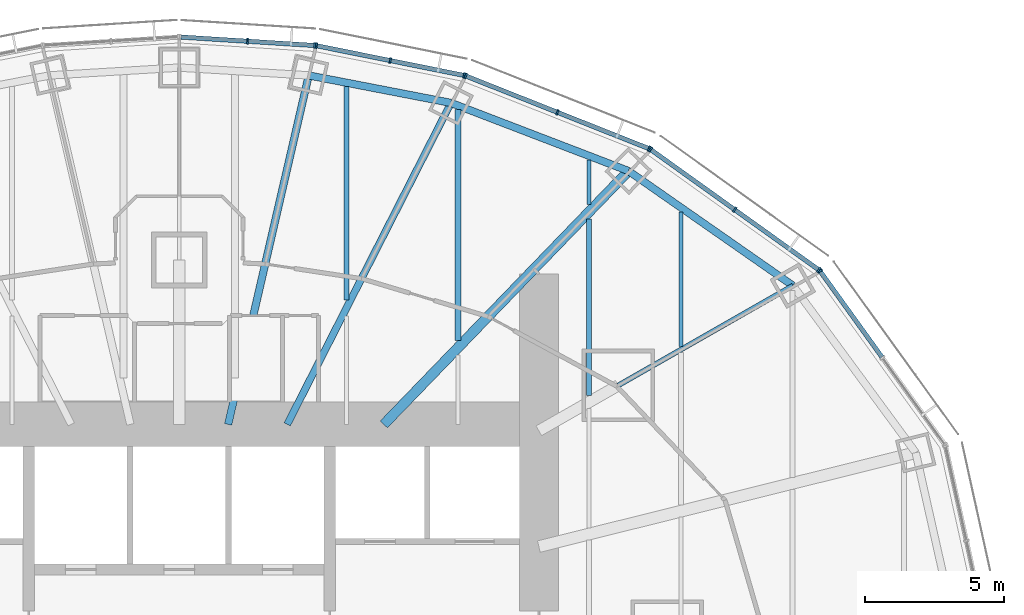
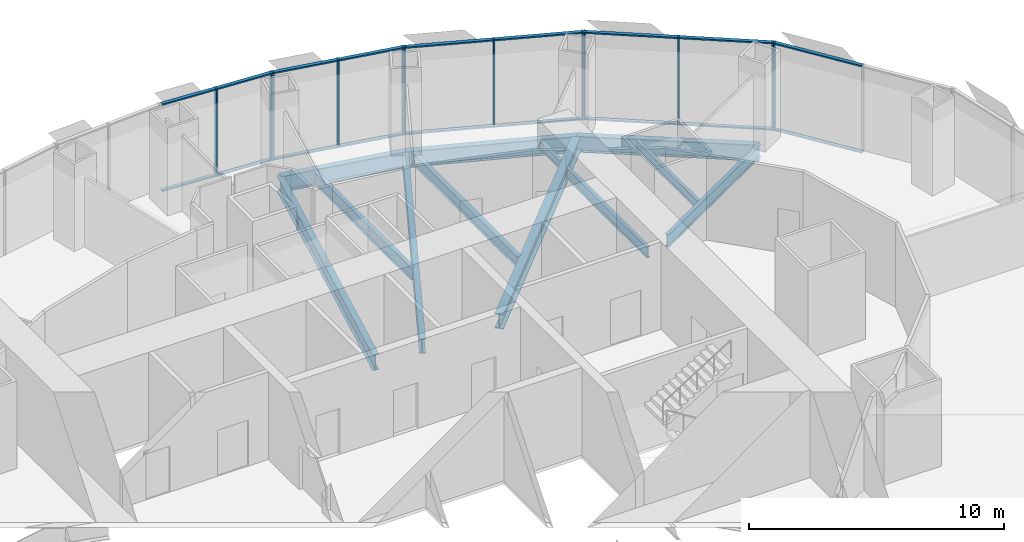
# One storey, part 8 of 18: 30 members, 12 beams, 5 elements without a shape of their own.
"""IFC4 building model written with IfcOpenShell, lengths in metres."""

from ifc_helpers import new_model, si_unit, direction, frame, origin, origin_2d, place, context, subcontext, project, spatial, rectangle, i_section, extrude, material, material_profile, profile_set, type_object, element, aggregate, save


model = new_model("IFC4")

# Units and contexts
model_context = context("Model", 3, precision=1e-05, world=origin(), true_north=direction((0.0, 1.0)))
body_context = subcontext(model_context, "Body", "Model", "MODEL_VIEW")
ifc_project = project(units=[si_unit("LENGTHUNIT", "METRE"), si_unit("AREAUNIT", "SQUARE_METRE"), si_unit("VOLUMEUNIT", "CUBIC_METRE"), si_unit("PLANEANGLEUNIT", "RADIAN"), si_unit("MASSUNIT", "GRAM", prefix="KILO")], contexts=[model_context])

# Site, building, storey
site_placement = place(None, origin())
site = spatial("IfcSite", under=ifc_project, at=site_placement, CompositionType="ELEMENT")
building_placement = place(site_placement, origin())
building = spatial("IfcBuilding", under=site, at=building_placement, Name="Lantaw Convention Tower", CompositionType="ELEMENT")
storey_placement = place(building_placement, frame((0.0, 0.0, 184.60009765625)))
storey = spatial("IfcBuildingStorey", under=building, at=storey_placement, Name="L43", CompositionType="ELEMENT", Elevation=184.60009765625)

# Beams
ifc_material_1 = material(Name="Steel ASTM A992", Category="steel")
ifc_material_profile_1 = material_profile(ifc_material_1, i_section(OverallWidth=0.2666015625, OverallDepth=0.76953125, WebThickness=0.015625, FlangeThickness=0.025390625, FilletRadius=0.0126953125, at=origin_2d()), Name="W30X132")
ifc_profile_set_1 = profile_set([ifc_material_profile_1], Name="Steel ASTM A992")
beam_type_1 = type_object("IfcBeamType", Name="Beam E W30X132", PredefinedType="SPANDREL", material=ifc_profile_set_1)
beam_1_placement = place(storey_placement, frame((22.013916015625, 12.579345703125, -0.534912109375), z_axis=(-0.820310765287, 0.57191804339, 0.0), x_axis=(-0.57191804339, -0.820310765287, 0.0)))
element("IfcBeam", 1, at=beam_1_placement, inside=storey, type_object=beam_type_1, Name="Edge beam 3", PredefinedType="SPANDREL", context=body_context, shape_type="SweptSolid", body=[
    extrude(i_section(OverallWidth=0.2666015625, OverallDepth=0.76953125, WebThickness=0.015625, FlangeThickness=0.025390625, FilletRadius=0.0126953125, at=origin_2d()), origin(), (0.0, 0.0, 1.0), 7.187744140625),
])
beam_2_placement = place(storey_placement, frame((16.11767578125, 16.690185546875, -0.534912109375), z_axis=(-0.933691081977, 0.358079549033, 0.0), x_axis=(-0.358079549033, -0.933691081977, 0.0)))
element("IfcBeam", 2, at=beam_2_placement, inside=storey, type_object=beam_type_1, Name="Edge beam 4", PredefinedType="SPANDREL", context=body_context, shape_type="SweptSolid", body=[
    extrude(i_section(OverallWidth=0.2666015625, OverallDepth=0.76953125, WebThickness=0.015625, FlangeThickness=0.025390625, FilletRadius=0.0126953125, at=origin_2d()), origin(), (0.0, 0.0, 1.0), 6.821533203125),
])
beam_3_placement = place(storey_placement, frame((9.74853515625, 19.1328125, -0.534912109375), z_axis=(-0.981796805654, 0.189934284446, 0.0), x_axis=(-0.189934284446, -0.981796805654, 0.0)))
element("IfcBeam", 3, at=beam_3_placement, inside=storey, type_object=beam_type_1, Name="Edge beam 5", PredefinedType="SPANDREL", context=body_context, shape_type="SweptSolid", body=[
    extrude(i_section(OverallWidth=0.2666015625, OverallDepth=0.76953125, WebThickness=0.015625, FlangeThickness=0.025390625, FilletRadius=0.0126953125, at=origin_2d()), origin(), (0.0, 0.0, 1.0), 5.1982421875),
])
ifc_material_profile_2 = material_profile(ifc_material_1, i_section(OverallWidth=0.177978515625, OverallDepth=0.599365234375, WebThickness=0.010009765625, FlangeThickness=0.012939453125, FilletRadius=0.012939453125, at=origin_2d()), Name="W24X55")
ifc_profile_set_2 = profile_set([ifc_material_profile_2], Name="Steel ASTM A992")
beam_type_2 = type_object("IfcBeamType", Name="Beam G W24X55", PredefinedType="BEAM", material=ifc_profile_set_2)
beam_4_placement = place(storey_placement, frame((15.75, 9.0, -0.44970703125), z_axis=(0.868245224608, 0.496135293993, 0.0), x_axis=(-0.496135293993, 0.868245224608, 0.0)))
element("IfcBeam", 4, at=beam_4_placement, inside=storey, type_object=beam_type_2, Name="Floor girder on ray 3", PredefinedType="BEAM", context=body_context, shape_type="SweptSolid", body=[
    extrude(i_section(OverallWidth=0.177978515625, OverallDepth=0.599365234375, WebThickness=0.010009765625, FlangeThickness=0.012939453125, FilletRadius=0.012939453125, at=origin_2d()), origin(), (0.0, 0.0, 1.0), 7.21435546875),
])
ifc_material_profile_3 = material_profile(ifc_material_1, i_section(OverallWidth=0.25390625, OverallDepth=0.700927734375, WebThickness=0.015380859375, FlangeThickness=0.02783203125, FilletRadius=0.01513671875, at=origin_2d()), Name="W27X129")
ifc_profile_set_3 = profile_set([ifc_material_profile_3], Name="Steel ASTM A992")
beam_type_3 = type_object("IfcBeamType", Name="Beam G W27X129", PredefinedType="BEAM", material=ifc_profile_set_3)
beam_5_placement = place(storey_placement, frame((3.872314453125, 7.60009765625, -0.500732421875), z_axis=(0.453991051051, 0.891006243281, 0.0), x_axis=(-0.891006243281, 0.453991051051, 0.0)))
element("IfcBeam", 5, at=beam_5_placement, inside=storey, type_object=beam_type_3, Name="Floor girder on ray 5", PredefinedType="BEAM", context=body_context, shape_type="SweptSolid", body=[
    extrude(i_section(OverallWidth=0.25390625, OverallDepth=0.700927734375, WebThickness=0.015380859375, FlangeThickness=0.02783203125, FilletRadius=0.01513671875, at=origin_2d()), origin(), (0.0, 0.0, 1.0), 12.943359375),
])
ifc_material_profile_4 = material_profile(ifc_material_1, i_section(OverallWidth=0.360595703125, OverallDepth=0.72900390625, WebThickness=0.023193359375, FlangeThickness=0.041015625, FilletRadius=0.0126953125, at=origin_2d()), Name="W27X235")
ifc_profile_set_4 = profile_set([ifc_material_profile_4], Name="Steel ASTM A992")
beam_type_4 = type_object("IfcBeamType", Name="Beam G W27X235", PredefinedType="BEAM", material=ifc_profile_set_4)
beam_6_placement = place(storey_placement, frame((7.33935546875, 7.60009765625, -0.5146484375), z_axis=(0.694663467407, 0.719334878239, 0.0), x_axis=(-0.719334878239, 0.694663467407, 0.0)))
element("IfcBeam", 6, at=beam_6_placement, inside=storey, type_object=beam_type_4, Name="Floor girder on ray 4", PredefinedType="BEAM", context=body_context, shape_type="SweptSolid", body=[
    extrude(i_section(OverallWidth=0.360595703125, OverallDepth=0.72900390625, WebThickness=0.023193359375, FlangeThickness=0.041015625, FilletRadius=0.0126953125, at=origin_2d()), origin(), (0.0, 0.0, 1.0), 12.63671875),
])
ifc_material_profile_5 = material_profile(ifc_material_1, i_section(OverallWidth=0.2666015625, OverallDepth=0.7568359375, WebThickness=0.013916015625, FlangeThickness=0.019287109375, FilletRadius=0.0126953125, at=origin_2d()), Name="W30X108")
ifc_profile_set_5 = profile_set([ifc_material_profile_5], Name="Steel ASTM A992")
beam_type_5 = type_object("IfcBeamType", Name="Beam G W30X108", PredefinedType="BEAM", material=ifc_profile_set_5)
beam_7_placement = place(storey_placement, frame((1.754638671875, 7.60009765625, -0.528564453125), z_axis=(0.224944153104, 0.974371658036, 0.0), x_axis=(-0.974371658036, 0.224944153104, 0.0)))
element("IfcBeam", 7, at=beam_7_placement, inside=storey, type_object=beam_type_5, Name="Floor girder on ray 6", PredefinedType="BEAM", context=body_context, shape_type="SweptSolid", body=[
    extrude(i_section(OverallWidth=0.2666015625, OverallDepth=0.7568359375, WebThickness=0.013916015625, FlangeThickness=0.019287109375, FilletRadius=0.0126953125, at=origin_2d()), origin(), (0.0, 0.0, 1.0), 12.849365234375),
])
ifc_material_profile_6 = material_profile(ifc_material_1, i_section(OverallWidth=0.140380859375, OverallDepth=0.40380859375, WebThickness=0.007080078125, FlangeThickness=0.01123046875, FilletRadius=0.01025390625, at=origin_2d()), Name="W16X31")
ifc_profile_set_6 = profile_set([ifc_material_profile_6], Name="Steel ASTM A992")
beam_type_6 = type_object("IfcBeamType", Name="Beam J W16X31", PredefinedType="JOIST", material=ifc_profile_set_6)
beam_8_placement = place(storey_placement, frame((14.699951171875, 15.48193359375, -0.35205078125), z_axis=(0.0, 1.0, 0.0), x_axis=(-1.0, 0.0, 0.0)))
element("IfcBeam", 8, at=beam_8_placement, inside=storey, type_object=beam_type_6, Name="Floor joist", PredefinedType="JOIST", context=body_context, shape_type="SweptSolid", body=[
    extrude(i_section(OverallWidth=0.140380859375, OverallDepth=0.40380859375, WebThickness=0.007080078125, FlangeThickness=0.01123046875, FilletRadius=0.01025390625, at=origin_2d()), origin(), (0.0, 0.0, 1.0), 1.609130859375),
])
ifc_material_profile_7 = material_profile(ifc_material_1, i_section(OverallWidth=0.15234375, OverallDepth=0.449462890625, WebThickness=0.007568359375, FlangeThickness=0.0107421875, FilletRadius=0.01025390625, at=origin_2d()), Name="W18X35")
ifc_profile_set_7 = profile_set([ifc_material_profile_7], Name="Steel ASTM A992")
beam_type_7 = type_object("IfcBeamType", Name="Beam J W18X35", PredefinedType="JOIST", material=ifc_profile_set_7)
beam_9_placement = place(storey_placement, frame((18.0, 10.38818359375, -0.375), z_axis=(0.0, 1.0, 0.0), x_axis=(-1.0, 0.0, 0.0)))
element("IfcBeam", 9, at=beam_9_placement, inside=storey, type_object=beam_type_7, Name="Floor joist", PredefinedType="JOIST", context=body_context, shape_type="SweptSolid", body=[
    extrude(i_section(OverallWidth=0.15234375, OverallDepth=0.449462890625, WebThickness=0.007568359375, FlangeThickness=0.0107421875, FilletRadius=0.01025390625, at=origin_2d()), origin(), (0.0, 0.0, 1.0), 4.8271484375),
])
ifc_material_profile_8 = material_profile(ifc_material_1, i_section(OverallWidth=0.1650390625, OverallDepth=0.52587890625, WebThickness=0.0087890625, FlangeThickness=0.011474609375, FilletRadius=0.0126953125, at=origin_2d()), Name="W21X44")
ifc_profile_set_8 = profile_set([ifc_material_profile_8], Name="Steel ASTM A992")
beam_type_8 = type_object("IfcBeamType", Name="Beam J W21X44", PredefinedType="JOIST", material=ifc_profile_set_8)
beam_10_placement = place(storey_placement, frame((14.699951171875, 8.632568359375, -0.4130859375), z_axis=(0.0, 1.0, 0.0), x_axis=(-1.0, 0.0, 0.0)))
element("IfcBeam", 10, at=beam_10_placement, inside=storey, type_object=beam_type_8, Name="Floor joist", PredefinedType="JOIST", context=body_context, shape_type="SweptSolid", body=[
    extrude(i_section(OverallWidth=0.1650390625, OverallDepth=0.52587890625, WebThickness=0.0087890625, FlangeThickness=0.011474609375, FilletRadius=0.0126953125, at=origin_2d()), origin(), (0.0, 0.0, 1.0), 6.330078125),
])
ifc_material_profile_9 = material_profile(ifc_material_1, i_section(OverallWidth=0.2099609375, OverallDepth=0.535888671875, WebThickness=0.010986328125, FlangeThickness=0.017333984375, FilletRadius=0.012939453125, at=origin_2d()), Name="W21X68")
ifc_profile_set_9 = profile_set([ifc_material_profile_9], Name="Steel ASTM A992")
beam_type_9 = type_object("IfcBeamType", Name="Beam J W21X68", PredefinedType="JOIST", material=ifc_profile_set_9)
beam_11_placement = place(storey_placement, frame((10.0, 10.614990234375, -0.41796875), z_axis=(0.0, 1.0, 0.0), x_axis=(-1.0, 0.0, 0.0)))
element("IfcBeam", 11, at=beam_11_placement, inside=storey, type_object=beam_type_9, Name="Floor joist", PredefinedType="JOIST", context=body_context, shape_type="SweptSolid", body=[
    extrude(i_section(OverallWidth=0.2099609375, OverallDepth=0.535888671875, WebThickness=0.010986328125, FlangeThickness=0.017333984375, FilletRadius=0.012939453125, at=origin_2d()), origin(), (0.0, 0.0, 1.0), 8.278564453125),
])
ifc_material_profile_10 = material_profile(ifc_material_1, i_section(OverallWidth=0.177978515625, OverallDepth=0.599365234375, WebThickness=0.010009765625, FlangeThickness=0.012939453125, FilletRadius=0.012939453125, at=origin_2d()), Name="W24X55")
ifc_profile_set_10 = profile_set([ifc_material_profile_10], Name="Steel ASTM A992")
beam_type_10 = type_object("IfcBeamType", Name="Beam J W24X55", PredefinedType="JOIST", material=ifc_profile_set_10)
beam_12_placement = place(storey_placement, frame((6.0, 12.055419921875, -0.44970703125), z_axis=(0.0, 1.0, 0.0), x_axis=(-1.0, 0.0, 0.0)))
element("IfcBeam", 12, at=beam_12_placement, inside=storey, type_object=beam_type_10, Name="Floor joist", PredefinedType="JOIST", context=body_context, shape_type="SweptSolid", body=[
    extrude(i_section(OverallWidth=0.177978515625, OverallDepth=0.599365234375, WebThickness=0.010009765625, FlangeThickness=0.012939453125, FilletRadius=0.012939453125, at=origin_2d()), origin(), (0.0, 0.0, 1.0), 7.666748046875),
])

# Curtain wall, member
ifc_material_2 = material(Name="Aluminium framed curtain wall", Category="aluminium")
curtain_wall_type = type_object("IfcCurtainWallType", Name="Office curtain wall low rise, pale aluminium", PredefinedType="USERDEFINED", material=ifc_material_2)
curtain_wall_1_placement = place(storey_placement, origin())
curtain_wall_1 = element("IfcCurtainWall", 13, at=curtain_wall_1_placement, inside=storey, type_object=curtain_wall_type, Name="Office curtain wall low rise, pale aluminium L43", ObjectType="UNITISED CURTAIN WALL", PredefinedType="USERDEFINED")
ifc_material_3 = material(Name="Aluminium 6063-T6", Category="aluminium")
ifc_material_profile_11 = material_profile(ifc_material_3, rectangle(XDim=0.199951171875, YDim=0.06494140625, at=origin_2d()), Name="CW-O1 mullion 65x200")
ifc_profile_set_11 = profile_set([ifc_material_profile_11], Name="Aluminium 6063-T6")
member_type_1 = type_object("IfcMemberType", Name="CW-O1 mullion 65x200", PredefinedType="MULLION", material=ifc_profile_set_11)
member_1_placement = place(storey_placement, frame((22.988037109375, 13.098876953125, -0.150146484375), z_axis=(0.0, 0.0, 1.0), x_axis=(-0.811384633629, -0.584512597221, 0.0)))
member_1 = element("IfcMember", 14, at=member_1_placement, type_object=member_type_1, Name="CW-O1 mullion 3", PredefinedType="MULLION", context=body_context, shape_type="SweptSolid", body=[
    extrude(rectangle(XDim=0.199951171875, YDim=0.06494140625, at=origin_2d()), origin(), (0.0, 0.0, 1.0), 4.199951171875),
])

# Curtain wall, members
curtain_wall_2_placement = place(storey_placement, origin())
curtain_wall_2 = element("IfcCurtainWall", 15, at=curtain_wall_2_placement, inside=storey, type_object=curtain_wall_type, Name="Office curtain wall low rise, pale aluminium L43", ObjectType="UNITISED CURTAIN WALL", PredefinedType="USERDEFINED")
member_2_placement = place(storey_placement, frame((22.942626953125, 13.14404296875, -0.150146484375), z_axis=(0.0, 0.0, 1.0), x_axis=(-0.581972695693, -0.813208325995, 0.0)))
member_2 = element("IfcMember", 16, at=member_2_placement, type_object=member_type_1, Name="CW-O1 mullion 1", PredefinedType="MULLION", context=body_context, shape_type="SweptSolid", body=[
    extrude(rectangle(XDim=0.199951171875, YDim=0.06494140625, at=origin_2d()), origin(), (0.0, 0.0, 1.0), 4.199951171875),
])
member_3_placement = place(storey_placement, frame((19.92529296875, 15.303466796875, -0.150146484375), z_axis=(0.0, 0.0, 1.0), x_axis=(-0.581972695693, -0.813208325995, 0.0)))
member_3 = element("IfcMember", 17, at=member_3_placement, type_object=member_type_1, Name="CW-O1 mullion 2", PredefinedType="MULLION", context=body_context, shape_type="SweptSolid", body=[
    extrude(rectangle(XDim=0.199951171875, YDim=0.06494140625, at=origin_2d()), origin(), (0.0, 0.0, 1.0), 4.199951171875),
])
member_4_placement = place(storey_placement, frame((16.908203125, 17.462646484375, -0.150146484375), z_axis=(0.0, 0.0, 1.0), x_axis=(-0.581972695693, -0.813208325995, 0.0)))
member_4 = element("IfcMember", 18, at=member_4_placement, type_object=member_type_1, Name="CW-O1 mullion 3", PredefinedType="MULLION", context=body_context, shape_type="SweptSolid", body=[
    extrude(rectangle(XDim=0.199951171875, YDim=0.06494140625, at=origin_2d()), origin(), (0.0, 0.0, 1.0), 4.199951171875),
])

curtain_wall_3_placement = place(storey_placement, origin())
curtain_wall_3 = element("IfcCurtainWall", 19, at=curtain_wall_3_placement, inside=storey, type_object=curtain_wall_type, Name="Office curtain wall low rise, pale aluminium L43", ObjectType="UNITISED CURTAIN WALL", PredefinedType="USERDEFINED")
member_5_placement = place(storey_placement, frame((16.8515625, 17.49365234375, -0.150146484375), z_axis=(0.0, 0.0, 1.0), x_axis=(-0.368701907483, -0.929547687544, 0.0)))
member_5 = element("IfcMember", 20, at=member_5_placement, type_object=member_type_1, Name="CW-O1 mullion 1", PredefinedType="MULLION", context=body_context, shape_type="SweptSolid", body=[
    extrude(rectangle(XDim=0.199951171875, YDim=0.06494140625, at=origin_2d()), origin(), (0.0, 0.0, 1.0), 4.199951171875),
])
member_6_placement = place(storey_placement, frame((13.56494140625, 18.797119140625, -0.150146484375), z_axis=(0.0, 0.0, 1.0), x_axis=(-0.368701907483, -0.929547687544, 0.0)))
member_6 = element("IfcMember", 21, at=member_6_placement, type_object=member_type_1, Name="CW-O1 mullion 2", PredefinedType="MULLION", context=body_context, shape_type="SweptSolid", body=[
    extrude(rectangle(XDim=0.199951171875, YDim=0.06494140625, at=origin_2d()), origin(), (0.0, 0.0, 1.0), 4.199951171875),
])
member_7_placement = place(storey_placement, frame((10.2783203125, 20.100830078125, -0.150146484375), z_axis=(0.0, 0.0, 1.0), x_axis=(-0.368701907483, -0.929547687544, 0.0)))
member_7 = element("IfcMember", 22, at=member_7_placement, type_object=member_type_1, Name="CW-O1 mullion 3", PredefinedType="MULLION", context=body_context, shape_type="SweptSolid", body=[
    extrude(rectangle(XDim=0.199951171875, YDim=0.06494140625, at=origin_2d()), origin(), (0.0, 0.0, 1.0), 4.199951171875),
])

curtain_wall_4_placement = place(storey_placement, origin())
curtain_wall_4 = element("IfcCurtainWall", 23, at=curtain_wall_4_placement, inside=storey, type_object=curtain_wall_type, Name="Office curtain wall low rise, pale aluminium L43", ObjectType="UNITISED CURTAIN WALL", PredefinedType="USERDEFINED")
member_8_placement = place(storey_placement, frame((10.216064453125, 20.119140625, -0.150146484375), z_axis=(0.0, 0.0, 1.0), x_axis=(-0.197506809659, -0.980301514912, 0.0)))
member_8 = element("IfcMember", 24, at=member_8_placement, type_object=member_type_1, Name="CW-O1 mullion 1", PredefinedType="MULLION", context=body_context, shape_type="SweptSolid", body=[
    extrude(rectangle(XDim=0.199951171875, YDim=0.06494140625, at=origin_2d()), origin(), (0.0, 0.0, 1.0), 4.199951171875),
])
member_9_placement = place(storey_placement, frame((7.5703125, 20.65234375, -0.150146484375), z_axis=(0.0, 0.0, 1.0), x_axis=(-0.197506809659, -0.980301514912, 0.0)))
member_9 = element("IfcMember", 25, at=member_9_placement, type_object=member_type_1, Name="CW-O1 mullion 2", PredefinedType="MULLION", context=body_context, shape_type="SweptSolid", body=[
    extrude(rectangle(XDim=0.199951171875, YDim=0.06494140625, at=origin_2d()), origin(), (0.0, 0.0, 1.0), 4.199951171875),
])
member_10_placement = place(storey_placement, frame((4.92431640625, 21.185302734375, -0.150146484375), z_axis=(0.0, 0.0, 1.0), x_axis=(-0.197506809659, -0.980301514912, 0.0)))
member_10 = element("IfcMember", 26, at=member_10_placement, type_object=member_type_1, Name="CW-O1 mullion 3", PredefinedType="MULLION", context=body_context, shape_type="SweptSolid", body=[
    extrude(rectangle(XDim=0.199951171875, YDim=0.06494140625, at=origin_2d()), origin(), (0.0, 0.0, 1.0), 4.199951171875),
])

curtain_wall_5_placement = place(storey_placement, origin())
curtain_wall_5 = element("IfcCurtainWall", 27, at=curtain_wall_5_placement, inside=storey, type_object=curtain_wall_type, Name="Office curtain wall low rise, pale aluminium L43", ObjectType="UNITISED CURTAIN WALL", PredefinedType="USERDEFINED")
member_11_placement = place(storey_placement, frame((4.860107421875, 21.19384765625, -0.150146484375), z_axis=(0.0, 0.0, 1.0), x_axis=(-0.062865059466, -0.998022035978, 0.0)))
member_11 = element("IfcMember", 28, at=member_11_placement, type_object=member_type_1, Name="CW-O1 mullion 1", PredefinedType="MULLION", context=body_context, shape_type="SweptSolid", body=[
    extrude(rectangle(XDim=0.199951171875, YDim=0.06494140625, at=origin_2d()), origin(), (0.0, 0.0, 1.0), 4.199951171875),
])
member_12_placement = place(storey_placement, frame((2.4462890625, 21.345947265625, -0.150146484375), z_axis=(0.0, 0.0, 1.0), x_axis=(-0.062865059466, -0.998022035978, 0.0)))
member_12 = element("IfcMember", 29, at=member_12_placement, type_object=member_type_1, Name="CW-O1 mullion 2", PredefinedType="MULLION", context=body_context, shape_type="SweptSolid", body=[
    extrude(rectangle(XDim=0.199951171875, YDim=0.06494140625, at=origin_2d()), origin(), (0.0, 0.0, 1.0), 4.199951171875),
])

# Member
ifc_material_profile_12 = material_profile(ifc_material_3, rectangle(XDim=0.159912109375, YDim=0.06494140625, at=origin_2d()), Name="CW-O1 transom 65x160")
ifc_profile_set_12 = profile_set([ifc_material_profile_12], Name="Aluminium 6063-T6")
member_type_2 = type_object("IfcMemberType", Name="CW-O1 transom 65x160", PredefinedType="USERDEFINED", material=ifc_profile_set_12)
member_13_placement = place(storey_placement, frame((25.209228515625, 10.015625, -0.11767578125), z_axis=(-0.584512973979, 0.811384362217, 0.0), x_axis=(-0.811384362217, -0.584512973979, 0.0)))
member_13 = element("IfcMember", 30, at=member_13_placement, type_object=member_type_2, Name="CW-O1 transom 2.1", ObjectType="TRANSOM", PredefinedType="USERDEFINED", context=body_context, shape_type="SweptSolid", body=[
    extrude(rectangle(XDim=0.159912109375, YDim=0.06494140625, at=origin_2d()), origin(), (0.0, 0.0, 1.0), 3.767578125),
])

member_14_placement = place(storey_placement, frame((25.209228515625, 10.015625, 4.017333984375), z_axis=(-0.584512973979, 0.811384362217, 0.0), x_axis=(-0.811384362217, -0.584512973979, 0.0)))
member_14 = element("IfcMember", 31, at=member_14_placement, type_object=member_type_2, Name="CW-O1 transom 2.2", ObjectType="TRANSOM", PredefinedType="USERDEFINED", context=body_context, shape_type="SweptSolid", body=[
    extrude(rectangle(XDim=0.159912109375, YDim=0.06494140625, at=origin_2d()), origin(), (0.0, 0.0, 1.0), 3.767578125),
])

aggregate(curtain_wall_1, [member_1, member_13, member_14])

member_15_placement = place(storey_placement, frame((22.916259765625, 13.1630859375, -0.11767578125), z_axis=(-0.813221785972, 0.581953887194, 0.0), x_axis=(-0.581953887194, -0.813221785972, 0.0)))
member_15 = element("IfcMember", 32, at=member_15_placement, type_object=member_type_2, Name="CW-O1 transom 1.1", ObjectType="TRANSOM", PredefinedType="USERDEFINED", context=body_context, shape_type="SweptSolid", body=[
    extrude(rectangle(XDim=0.159912109375, YDim=0.06494140625, at=origin_2d()), origin(), (0.0, 0.0, 1.0), 3.645263671875),
])

member_16_placement = place(storey_placement, frame((22.916259765625, 13.1630859375, 4.017333984375), z_axis=(-0.813221785972, 0.581953887194, 0.0), x_axis=(-0.581953887194, -0.813221785972, 0.0)))
member_16 = element("IfcMember", 33, at=member_16_placement, type_object=member_type_2, Name="CW-O1 transom 1.2", ObjectType="TRANSOM", PredefinedType="USERDEFINED", context=body_context, shape_type="SweptSolid", body=[
    extrude(rectangle(XDim=0.159912109375, YDim=0.06494140625, at=origin_2d()), origin(), (0.0, 0.0, 1.0), 3.645263671875),
])

member_17_placement = place(storey_placement, frame((19.89892578125, 15.322265625, -0.11767578125), z_axis=(-0.813190089133, 0.581998177777, 0.0), x_axis=(-0.581998177777, -0.813190089133, 0.0)))
member_17 = element("IfcMember", 34, at=member_17_placement, type_object=member_type_2, Name="CW-O1 transom 2.1", ObjectType="TRANSOM", PredefinedType="USERDEFINED", context=body_context, shape_type="SweptSolid", body=[
    extrude(rectangle(XDim=0.159912109375, YDim=0.06494140625, at=origin_2d()), origin(), (0.0, 0.0, 1.0), 3.645263671875),
])

member_18_placement = place(storey_placement, frame((19.89892578125, 15.322265625, 4.017333984375), z_axis=(-0.813190089133, 0.581998177777, 0.0), x_axis=(-0.581998177777, -0.813190089133, 0.0)))
member_18 = element("IfcMember", 35, at=member_18_placement, type_object=member_type_2, Name="CW-O1 transom 2.2", ObjectType="TRANSOM", PredefinedType="USERDEFINED", context=body_context, shape_type="SweptSolid", body=[
    extrude(rectangle(XDim=0.159912109375, YDim=0.06494140625, at=origin_2d()), origin(), (0.0, 0.0, 1.0), 3.645263671875),
])

aggregate(curtain_wall_2, [member_2, member_3, member_4, member_15, member_16, member_17, member_18])

member_19_placement = place(storey_placement, frame((16.8212890625, 17.505615234375, -0.11767578125), z_axis=(-0.929564188507, 0.368660303592, 0.0), x_axis=(-0.368660303592, -0.929564188507, 0.0)))
member_19 = element("IfcMember", 36, at=member_19_placement, type_object=member_type_2, Name="CW-O1 transom 1.1", ObjectType="TRANSOM", PredefinedType="USERDEFINED", context=body_context, shape_type="SweptSolid", body=[
    extrude(rectangle(XDim=0.159912109375, YDim=0.06494140625, at=origin_2d()), origin(), (0.0, 0.0, 1.0), 3.470703125),
])

member_20_placement = place(storey_placement, frame((16.8212890625, 17.505615234375, 4.017333984375), z_axis=(-0.929564188507, 0.368660303592, 0.0), x_axis=(-0.368660303592, -0.929564188507, 0.0)))
member_20 = element("IfcMember", 37, at=member_20_placement, type_object=member_type_2, Name="CW-O1 transom 1.2", ObjectType="TRANSOM", PredefinedType="USERDEFINED", context=body_context, shape_type="SweptSolid", body=[
    extrude(rectangle(XDim=0.159912109375, YDim=0.06494140625, at=origin_2d()), origin(), (0.0, 0.0, 1.0), 3.470703125),
])

member_21_placement = place(storey_placement, frame((13.53466796875, 18.80908203125, -0.11767578125), z_axis=(-0.929540081544, 0.368721082668, 0.0), x_axis=(-0.368721082668, -0.929540081544, 0.0)))
member_21 = element("IfcMember", 38, at=member_21_placement, type_object=member_type_2, Name="CW-O1 transom 2.1", ObjectType="TRANSOM", PredefinedType="USERDEFINED", context=body_context, shape_type="SweptSolid", body=[
    extrude(rectangle(XDim=0.159912109375, YDim=0.06494140625, at=origin_2d()), origin(), (0.0, 0.0, 1.0), 3.470947265625),
])

member_22_placement = place(storey_placement, frame((13.53466796875, 18.80908203125, 4.017333984375), z_axis=(-0.929540081544, 0.368721082668, 0.0), x_axis=(-0.368721082668, -0.929540081544, 0.0)))
member_22 = element("IfcMember", 39, at=member_22_placement, type_object=member_type_2, Name="CW-O1 transom 2.2", ObjectType="TRANSOM", PredefinedType="USERDEFINED", context=body_context, shape_type="SweptSolid", body=[
    extrude(rectangle(XDim=0.159912109375, YDim=0.06494140625, at=origin_2d()), origin(), (0.0, 0.0, 1.0), 3.470947265625),
])

aggregate(curtain_wall_3, [member_5, member_6, member_7, member_19, member_20, member_21, member_22])

member_23_placement = place(storey_placement, frame((10.184326171875, 20.125732421875, -0.11767578125), z_axis=(-0.980301643003, 0.197506173891, 0.0), x_axis=(-0.197506173891, -0.980301643003, 0.0)))
member_23 = element("IfcMember", 40, at=member_23_placement, type_object=member_type_2, Name="CW-O1 transom 1.1", ObjectType="TRANSOM", PredefinedType="USERDEFINED", context=body_context, shape_type="SweptSolid", body=[
    extrude(rectangle(XDim=0.159912109375, YDim=0.06494140625, at=origin_2d()), origin(), (0.0, 0.0, 1.0), 2.63427734375),
])

member_24_placement = place(storey_placement, frame((10.184326171875, 20.125732421875, 4.017333984375), z_axis=(-0.980301643003, 0.197506173891, 0.0), x_axis=(-0.197506173891, -0.980301643003, 0.0)))
member_24 = element("IfcMember", 41, at=member_24_placement, type_object=member_type_2, Name="CW-O1 transom 1.2", ObjectType="TRANSOM", PredefinedType="USERDEFINED", context=body_context, shape_type="SweptSolid", body=[
    extrude(rectangle(XDim=0.159912109375, YDim=0.06494140625, at=origin_2d()), origin(), (0.0, 0.0, 1.0), 2.63427734375),
])

member_25_placement = place(storey_placement, frame((7.538330078125, 20.65869140625, -0.11767578125), z_axis=(-0.980298027092, 0.197524120247, 0.0), x_axis=(-0.197524120247, -0.980298027092, 0.0)))
member_25 = element("IfcMember", 42, at=member_25_placement, type_object=member_type_2, Name="CW-O1 transom 2.1", ObjectType="TRANSOM", PredefinedType="USERDEFINED", context=body_context, shape_type="SweptSolid", body=[
    extrude(rectangle(XDim=0.159912109375, YDim=0.06494140625, at=origin_2d()), origin(), (0.0, 0.0, 1.0), 2.634033203125),
])

member_26_placement = place(storey_placement, frame((7.538330078125, 20.65869140625, 4.017333984375), z_axis=(-0.980298027092, 0.197524120247, 0.0), x_axis=(-0.197524120247, -0.980298027092, 0.0)))
member_26 = element("IfcMember", 43, at=member_26_placement, type_object=member_type_2, Name="CW-O1 transom 2.2", ObjectType="TRANSOM", PredefinedType="USERDEFINED", context=body_context, shape_type="SweptSolid", body=[
    extrude(rectangle(XDim=0.159912109375, YDim=0.06494140625, at=origin_2d()), origin(), (0.0, 0.0, 1.0), 2.634033203125),
])

aggregate(curtain_wall_4, [member_8, member_9, member_10, member_23, member_24, member_25, member_26])

member_27_placement = place(storey_placement, frame((4.82763671875, 21.19580078125, -0.11767578125), z_axis=(-0.998022188463, 0.062862638625, 0.0), x_axis=(-0.062862638625, -0.998022188463, 0.0)))
member_27 = element("IfcMember", 44, at=member_27_placement, type_object=member_type_2, Name="CW-O1 transom 1.1", ObjectType="TRANSOM", PredefinedType="USERDEFINED", context=body_context, shape_type="SweptSolid", body=[
    extrude(rectangle(XDim=0.159912109375, YDim=0.06494140625, at=origin_2d()), origin(), (0.0, 0.0, 1.0), 2.353515625),
])

member_28_placement = place(storey_placement, frame((4.82763671875, 21.19580078125, 4.017333984375), z_axis=(-0.998022188463, 0.062862638625, 0.0), x_axis=(-0.062862638625, -0.998022188463, 0.0)))
member_28 = element("IfcMember", 45, at=member_28_placement, type_object=member_type_2, Name="CW-O1 transom 1.2", ObjectType="TRANSOM", PredefinedType="USERDEFINED", context=body_context, shape_type="SweptSolid", body=[
    extrude(rectangle(XDim=0.159912109375, YDim=0.06494140625, at=origin_2d()), origin(), (0.0, 0.0, 1.0), 2.353515625),
])

member_29_placement = place(storey_placement, frame((2.413818359375, 21.347900390625, -0.11767578125), z_axis=(-0.998022188463, 0.062862638625, 0.0), x_axis=(-0.062862638625, -0.998022188463, 0.0)))
member_29 = element("IfcMember", 46, at=member_29_placement, type_object=member_type_2, Name="CW-O1 transom 2.1", ObjectType="TRANSOM", PredefinedType="USERDEFINED", context=body_context, shape_type="SweptSolid", body=[
    extrude(rectangle(XDim=0.159912109375, YDim=0.06494140625, at=origin_2d()), origin(), (0.0, 0.0, 1.0), 2.353515625),
])

member_30_placement = place(storey_placement, frame((2.413818359375, 21.347900390625, 4.017333984375), z_axis=(-0.998022188463, 0.062862638625, 0.0), x_axis=(-0.062862638625, -0.998022188463, 0.0)))
member_30 = element("IfcMember", 47, at=member_30_placement, type_object=member_type_2, Name="CW-O1 transom 2.2", ObjectType="TRANSOM", PredefinedType="USERDEFINED", context=body_context, shape_type="SweptSolid", body=[
    extrude(rectangle(XDim=0.159912109375, YDim=0.06494140625, at=origin_2d()), origin(), (0.0, 0.0, 1.0), 2.353515625),
])

aggregate(curtain_wall_5, [member_11, member_12, member_27, member_28, member_29, member_30])

save(model, "model.ifc")
